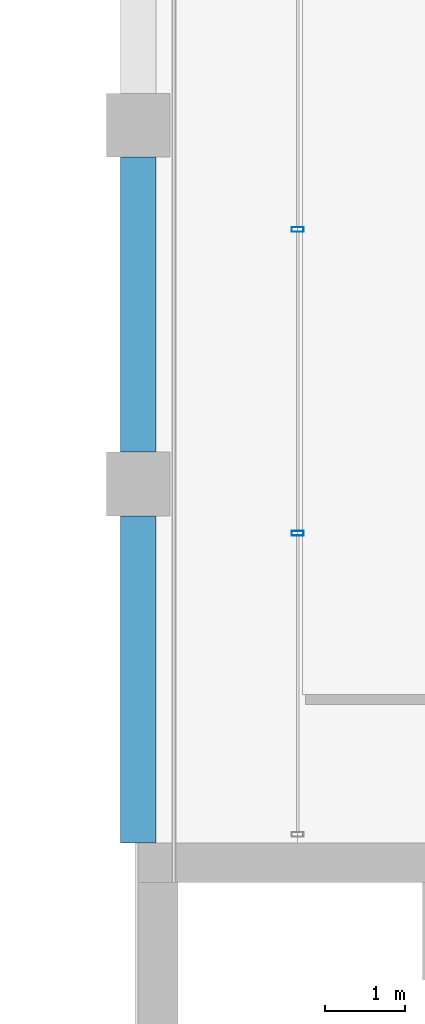
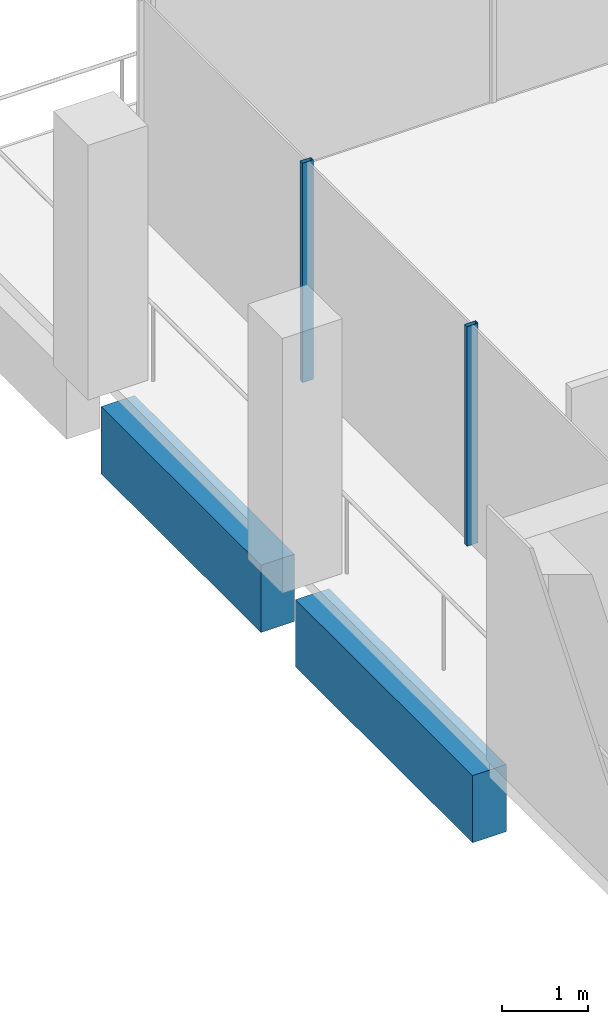
# One storey, part 20 of 30: 2 beams, 2 members, 1 element without a shape of its own.
"""IFC4 building model written with IfcOpenShell, lengths in metres."""

from ifc_helpers import new_model, si_unit, direction, frame, origin, origin_2d, place, context, subcontext, project, spatial, rectangle, hollow_rectangle, extrude, material, material_profile, profile_set, type_object, element, aggregate, save


model = new_model("IFC4")

# Units and contexts
model_context = context("Model", 3, precision=1e-05, world=origin(), true_north=direction((0.0, 1.0)))
body_context = subcontext(model_context, "Body", "Model", "MODEL_VIEW")
ifc_project = project(units=[si_unit("LENGTHUNIT", "METRE"), si_unit("AREAUNIT", "SQUARE_METRE"), si_unit("VOLUMEUNIT", "CUBIC_METRE"), si_unit("PLANEANGLEUNIT", "RADIAN"), si_unit("MASSUNIT", "GRAM", prefix="KILO")], contexts=[model_context])

# Site, building, storey
site_placement = place(None, origin())
site = spatial("IfcSite", under=ifc_project, at=site_placement, CompositionType="ELEMENT")
building_placement = place(site_placement, origin())
building = spatial("IfcBuilding", under=site, at=building_placement, Name="Altepetl Exchange Towers", CompositionType="ELEMENT")
storey_placement = place(building_placement, frame((0.0, 0.0, 224.39990234375)))
storey = spatial("IfcBuildingStorey", under=building, at=storey_placement, Name="L57", CompositionType="ELEMENT", Elevation=224.39990234375)

# Curtain wall, members
ifc_material_1 = material(Name="Aluminium 6063-T6 glazing", Category="aluminium")
curtain_wall_type = type_object("IfcCurtainWallType", Name="Loggia glazing system", PredefinedType="NOTDEFINED", material=ifc_material_1)
curtain_wall_placement = place(storey_placement, origin())
curtain_wall = element("IfcCurtainWall", 1, at=curtain_wall_placement, inside=storey, type_object=curtain_wall_type, Name="CW1 run", PredefinedType="NOTDEFINED")
ifc_material_2 = material(Name="Aluminium 6063-T6", Category="aluminium")
ifc_material_profile_1 = material_profile(ifc_material_2, hollow_rectangle(XDim=0.06005859375, YDim=0.14990234375, WallThickness=0.0029296875, at=origin_2d()), Name="Mullion 60x150 aluminium")
ifc_profile_set_1 = profile_set([ifc_material_profile_1], Name="Aluminium 6063-T6")
member_type = type_object("IfcMemberType", Name="Mullion 60x150 aluminium", PredefinedType="MULLION", material=ifc_profile_set_1)
member_1_placement = place(storey_placement, frame((42.5, 66.191650390625, 0.0), z_axis=(0.0, 0.0, 1.0), x_axis=(0.0, -1.0, 0.0)))
member_1 = element("IfcMember", 2, at=member_1_placement, type_object=member_type, Name="MU1 mullion", PredefinedType="MULLION", context=body_context, shape_type="SweptSolid", body=[
    extrude(hollow_rectangle(XDim=0.06005859375, YDim=0.14990234375, WallThickness=0.0029296875, at=origin_2d()), origin(), (0.0, 0.0, 1.0), 3.10009765625),
])
member_2_placement = place(storey_placement, frame((42.5, 62.38330078125, 0.0), z_axis=(0.0, 0.0, 1.0), x_axis=(0.0, -1.0, 0.0)))
member_2 = element("IfcMember", 3, at=member_2_placement, type_object=member_type, Name="MU1 mullion", PredefinedType="MULLION", context=body_context, shape_type="SweptSolid", body=[
    extrude(hollow_rectangle(XDim=0.06005859375, YDim=0.14990234375, WallThickness=0.0029296875, at=origin_2d()), origin(), (0.0, 0.0, 1.0), 3.10009765625),
])
aggregate(curtain_wall, [member_1, member_2])

# Beams
ifc_material_3 = material(Name="Concrete C50/60 precast with tezontle facing", Category="concrete")
ifc_material_profile_2 = material_profile(ifc_material_3, rectangle(XDim=0.449951171875, YDim=0.949951171875, at=origin_2d()), Name="450 x 950")
ifc_profile_set_2 = profile_set([ifc_material_profile_2], Name="Concrete C50/60 precast with tezontle facing")
beam_type = type_object("IfcBeamType", Name="Spandrel beam 450x950 tezontle", PredefinedType="SPANDREL", material=ifc_profile_set_2)
beam_1_placement = place(storey_placement, frame((40.5, 67.10009765625, -0.625), z_axis=(0.0, -1.0, 0.0), x_axis=(1.0, 0.0, 0.0)))
element("IfcBeam", 4, at=beam_1_placement, inside=storey, type_object=beam_type, Name="sp:A:L57:031", PredefinedType="SPANDREL", context=body_context, shape_type="SweptSolid", body=[
    extrude(rectangle(XDim=0.449951171875, YDim=0.949951171875, at=origin_2d()), origin(), (0.0, 0.0, 1.0), 3.7001953125),
])
beam_2_placement = place(storey_placement, frame((40.5, 62.60009765625, -0.625), z_axis=(0.0, -1.0, 0.0), x_axis=(1.0, 0.0, 0.0)))
element("IfcBeam", 5, at=beam_2_placement, inside=storey, type_object=beam_type, Name="sp:A:L57:032", PredefinedType="SPANDREL", context=body_context, shape_type="SweptSolid", body=[
    extrude(rectangle(XDim=0.449951171875, YDim=0.949951171875, at=origin_2d()), origin(), (0.0, 0.0, 1.0), 4.10009765625),
])

save(model, "model.ifc")
